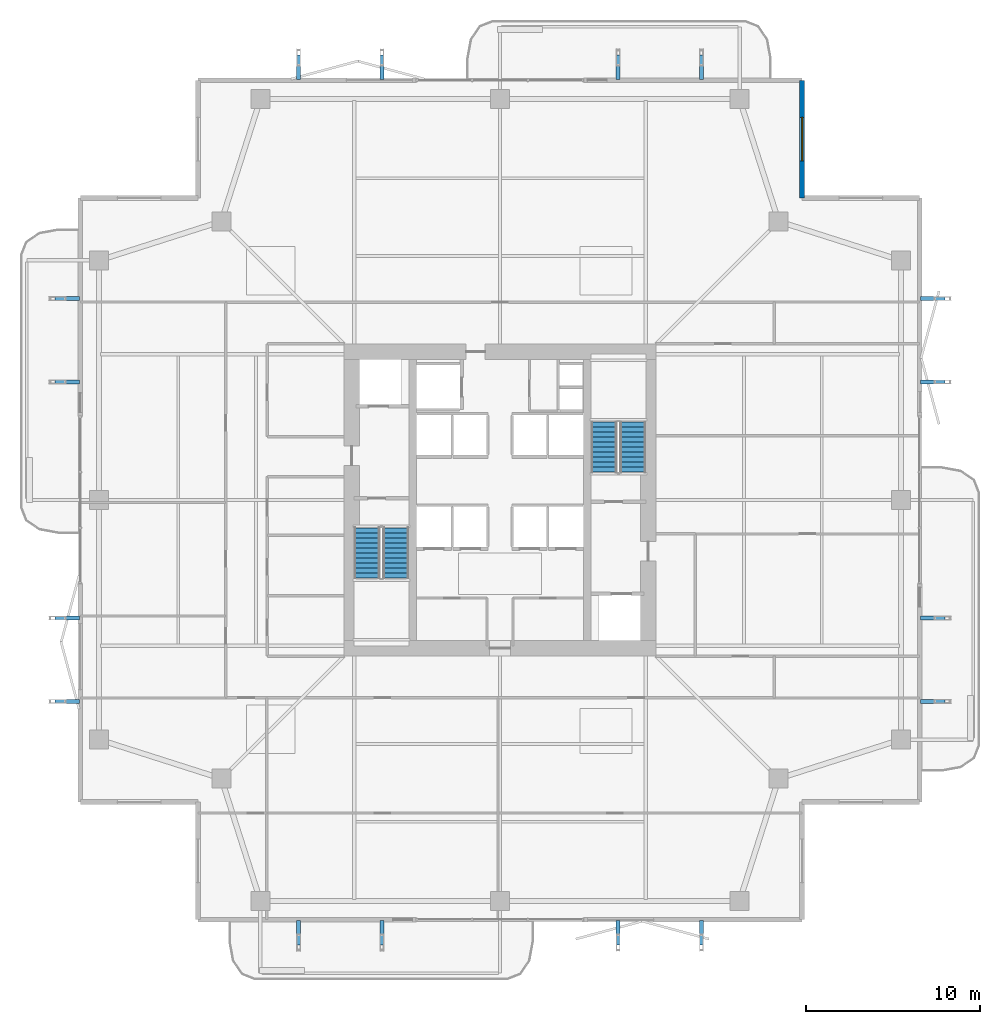
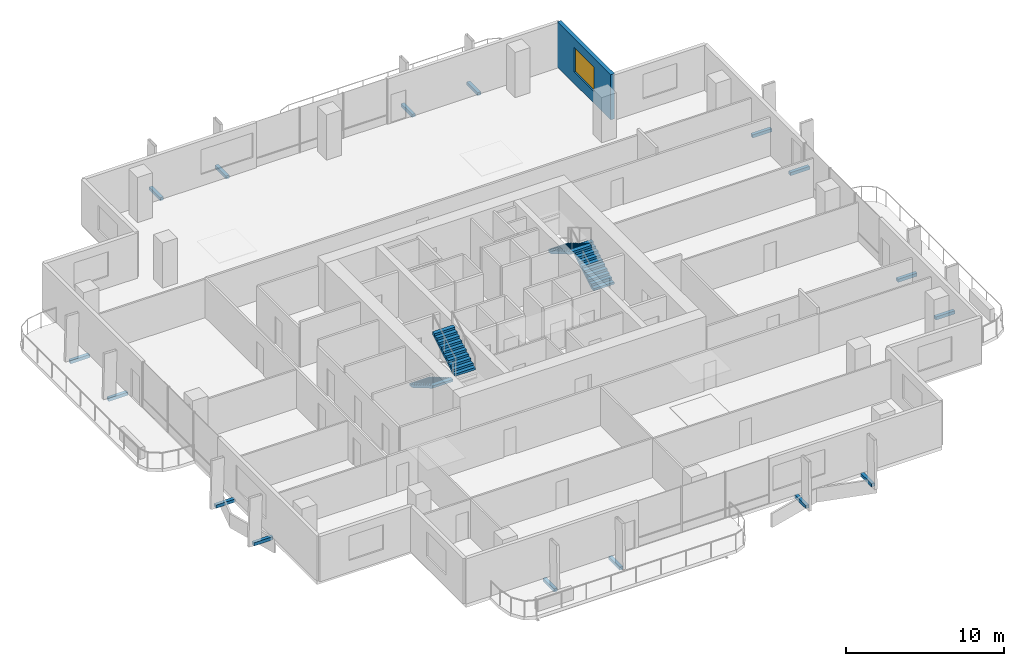
# One storey, part 22 of 25: 16 discrete accessories, 4 stair flights, 1 wall, 1 window, 1 opening, 2 elements without a shape of their own.
"""IFC4 building model written with IfcOpenShell, lengths in metres."""

from ifc_helpers import new_model, si_unit, direction, frame, frame_2d, origin, origin_2d, place, context, subcontext, project, spatial, polyline, rectangle, outline, extrude, material, layer, layer_set, type_object, element, fill, aggregate, save


model = new_model("IFC4")

# Units and contexts
model_context = context("Model", 3, precision=1e-05, world=origin(), true_north=direction((0.0, 1.0)))
body_context = subcontext(model_context, "Body", "Model", "MODEL_VIEW")
ifc_project = project(units=[si_unit("LENGTHUNIT", "METRE"), si_unit("AREAUNIT", "SQUARE_METRE"), si_unit("VOLUMEUNIT", "CUBIC_METRE"), si_unit("PLANEANGLEUNIT", "RADIAN"), si_unit("MASSUNIT", "GRAM", prefix="KILO")], contexts=[model_context])

# Site, building, storey
site_placement = place(None, origin())
site = spatial("IfcSite", under=ifc_project, at=site_placement, CompositionType="ELEMENT")
building_placement = place(site_placement, origin())
building = spatial("IfcBuilding", under=site, at=building_placement, Name="Belovzor Exchange Tower", CompositionType="ELEMENT")
storey_placement = place(building_placement, frame((0.0, 0.0, 160.800048828125)))
storey = spatial("IfcBuildingStorey", under=building, at=storey_placement, Name="L39", CompositionType="ELEMENT", Elevation=160.800048828125)

# Wall, opening, window
ifc_material_1 = material(Name="Precast concrete C40/50", Category="concrete")
ifc_layer_1 = layer(ifc_material_1, 0.280029296875)
ifc_layer_set_1 = layer_set([ifc_layer_1], Name="Precast concrete C40/50")
wall_type = type_object("IfcWallType", Name="Precast Concrete Notched Corner Frame Wall 280", PredefinedType="SOLIDWALL", material=ifc_layer_set_1)
wall_placement = place(storey_placement, frame((46.199951171875, 52.969970703125, 0.0), z_axis=(0.0, 0.0, 1.0), x_axis=(0.0, -1.0, 0.0)))
wall = element("IfcWall", 1, at=wall_placement, inside=storey, type_object=wall_type, Name="W-CRN280 Precast Concrete Notched Corner Frame Wall 280 L39", PredefinedType="SOLIDWALL", context=body_context, shape_type="SweptSolid", body=[
    extrude(rectangle(XDim=6.77001953125, YDim=0.280029296875, at=frame_2d((3.385009765625, 0.0))), origin(), (0.0, 0.0, 1.0), 3.494873046875),
])
opening_placement = place(wall_placement, frame((2.135009765625, 0.0, 0.89990234375)))
opening = element("IfcOpeningElement", 2, at=opening_placement, cuts=wall, Name="Opening WN-CRN250", PredefinedType="OPENING", context=body_context, shape_type="SweptSolid", body=[
    extrude(rectangle(XDim=2.5, YDim=1.89990234375, at=frame_2d((1.25, 0.949951171875))), frame((0.0, 0.14990234375, 0.0), z_axis=(0.0, -1.0, 0.0), x_axis=(1.0, 0.0, 0.0)), (0.0, 0.0, 1.0), 0.300048828125),
])
ifc_material_2 = material(Name="Thermally Broken Aluminium and Triple Glazing", Category="aluminium")
window_type = type_object("IfcWindowType", Name="Streamline Moderne Corner Wrap Ribbon Window 2500x1900", PartitioningType="SINGLE_PANEL", PredefinedType="WINDOW", material=ifc_material_2)
window_placement = place(opening_placement, origin())
window = element("IfcWindow", 3, at=window_placement, inside=storey, type_object=window_type, Name="WN-CRN250 Streamline Moderne Corner Wrap Ribbon Window 2500x1900", OverallHeight=1.89990234375, OverallWidth=2.5, PartitioningType="SINGLE_PANEL", PredefinedType="WINDOW", context=body_context, shape_type="SweptSolid", body=[
    extrude(rectangle(XDim=2.5, YDim=1.89990234375, at=frame_2d((1.25, 0.949951171875))), frame((0.0, 0.030029296875, 0.0), z_axis=(0.0, -1.0, 0.0), x_axis=(1.0, 0.0, 0.0)), (0.0, 0.0, 1.0), 0.06005859375),
])
fill(opening, window)

# Stair, stair flights
ifc_material_3 = material(Name="Concrete C40/50", Category="concrete")
stair_type = type_object("IfcStairType", Name="Reinforced Concrete Dogleg Escape Stair 1350", PredefinedType="HALF_TURN_STAIR", material=ifc_material_3)
stair_1_placement = place(storey_placement, origin())
stair_1 = element("IfcStair", 4, at=stair_1_placement, inside=storey, type_object=stair_type, Name="L39 ST-1", PredefinedType="HALF_TURN_STAIR")
ifc_material_4 = material(Name="Concrete C40/50", Category="concrete")
stair_flight_type = type_object("IfcStairFlightType", Name="Reinforced Concrete Stair Flight 1350", PredefinedType="STRAIGHT", material=ifc_material_4)
stair_flight_1_placement = place(storey_placement, frame((21.14990234375, 27.199951171875, 0.0), z_axis=(0.0, 0.0, 1.0), x_axis=(0.0, -1.0, 0.0)))
stair_flight_1 = element("IfcStairFlight", 5, at=stair_flight_1_placement, type_object=stair_flight_type, Name="ST-1 flight 1", NumberOfRisers=11, NumberOfTreads=10, PredefinedType="STRAIGHT", RiserHeight=0.170454545, TreadLength=0.29, context=body_context, shape_type="SweptSolid", body=[
    extrude(outline(polyline([(0.0, 0.0), (0.0, 0.17041015625), (0.2900390625, 0.17041015625), (0.2900390625, 0.3408203125), (0.580078125, 0.3408203125), (0.580078125, 0.511474609375), (0.8701171875, 0.511474609375), (0.8701171875, 0.681884765625), (1.159912109375, 0.681884765625), (1.159912109375, 0.852294921875), (1.449951171875, 0.852294921875), (1.449951171875, 1.022705078125), (1.739990234375, 1.022705078125), (1.739990234375, 1.193115234375), (2.030029296875, 1.193115234375), (2.030029296875, 1.363525390625), (2.320068359375, 1.363525390625), (2.320068359375, 1.5341796875), (2.610107421875, 1.5341796875), (2.610107421875, 1.70458984375), (2.89990234375, 1.70458984375), (2.89990234375, 1.875), (2.89990234375, 1.53076171875), (0.2958984375, 0.0), (0.0, 0.0)])), frame((0.0, 0.75, 0.0), z_axis=(0.0, -1.0, 0.0), x_axis=(1.0, 0.0, 0.0)), (0.0, 0.0, 1.0), 1.5),
])
stair_flight_2_placement = place(storey_placement, frame((22.800048828125, 24.300048828125, 1.875), z_axis=(0.0, 0.0, 1.0), x_axis=(0.0, 1.0, 0.0)))
stair_flight_2 = element("IfcStairFlight", 6, at=stair_flight_2_placement, type_object=stair_flight_type, Name="ST-1 flight 2", NumberOfRisers=11, NumberOfTreads=10, PredefinedType="STRAIGHT", RiserHeight=0.170454545, TreadLength=0.29, context=body_context, shape_type="SweptSolid", body=[
    extrude(outline(polyline([(0.0, 0.0), (0.0, 0.17041015625), (0.2900390625, 0.17041015625), (0.2900390625, 0.3408203125), (0.580078125, 0.3408203125), (0.580078125, 0.511474609375), (0.8701171875, 0.511474609375), (0.8701171875, 0.681884765625), (1.159912109375, 0.681884765625), (1.159912109375, 0.852294921875), (1.449951171875, 0.852294921875), (1.449951171875, 1.022705078125), (1.739990234375, 1.022705078125), (1.739990234375, 1.193115234375), (2.030029296875, 1.193115234375), (2.030029296875, 1.363525390625), (2.320068359375, 1.363525390625), (2.320068359375, 1.5341796875), (2.610107421875, 1.5341796875), (2.610107421875, 1.70458984375), (2.89990234375, 1.70458984375), (2.89990234375, 1.875), (2.89990234375, 1.53076171875), (0.2958984375, 0.0), (0.0, 0.0)])), frame((0.0, 0.75, 0.0), z_axis=(0.0, -1.0, 0.0), x_axis=(1.0, 0.0, 0.0)), (0.0, 0.0, 1.0), 1.5),
])
aggregate(stair_1, [stair_flight_1, stair_flight_2])

stair_2_placement = place(storey_placement, origin())
stair_2 = element("IfcStair", 7, at=stair_2_placement, inside=storey, type_object=stair_type, Name="L39 ST-2", PredefinedType="HALF_TURN_STAIR")
stair_flight_3_placement = place(storey_placement, frame((36.449951171875, 30.39990234375, 0.0), z_axis=(0.0, 0.0, 1.0), x_axis=(0.0, 1.0, 0.0)))
stair_flight_3 = element("IfcStairFlight", 8, at=stair_flight_3_placement, type_object=stair_flight_type, Name="ST-2 flight 1", NumberOfRisers=11, NumberOfTreads=10, PredefinedType="STRAIGHT", RiserHeight=0.170454545, TreadLength=0.29, context=body_context, shape_type="SweptSolid", body=[
    extrude(outline(polyline([(0.0, 0.0), (0.0, 0.17041015625), (0.2900390625, 0.17041015625), (0.2900390625, 0.3408203125), (0.580078125, 0.3408203125), (0.580078125, 0.511474609375), (0.8701171875, 0.511474609375), (0.8701171875, 0.681884765625), (1.159912109375, 0.681884765625), (1.159912109375, 0.852294921875), (1.449951171875, 0.852294921875), (1.449951171875, 1.022705078125), (1.739990234375, 1.022705078125), (1.739990234375, 1.193115234375), (2.030029296875, 1.193115234375), (2.030029296875, 1.363525390625), (2.320068359375, 1.363525390625), (2.320068359375, 1.5341796875), (2.610107421875, 1.5341796875), (2.610107421875, 1.70458984375), (2.89990234375, 1.70458984375), (2.89990234375, 1.875), (2.89990234375, 1.53076171875), (0.2958984375, 0.0), (0.0, 0.0)])), frame((0.0, 0.75, 0.0), z_axis=(0.0, -1.0, 0.0), x_axis=(1.0, 0.0, 0.0)), (0.0, 0.0, 1.0), 1.5),
])
stair_flight_4_placement = place(storey_placement, frame((34.800048828125, 33.300048828125, 1.875), z_axis=(0.0, 0.0, 1.0), x_axis=(0.0, -1.0, 0.0)))
stair_flight_4 = element("IfcStairFlight", 9, at=stair_flight_4_placement, type_object=stair_flight_type, Name="ST-2 flight 2", NumberOfRisers=11, NumberOfTreads=10, PredefinedType="STRAIGHT", RiserHeight=0.170454545, TreadLength=0.29, context=body_context, shape_type="SweptSolid", body=[
    extrude(outline(polyline([(0.0, 0.0), (0.0, 0.17041015625), (0.2900390625, 0.17041015625), (0.2900390625, 0.3408203125), (0.580078125, 0.3408203125), (0.580078125, 0.511474609375), (0.8701171875, 0.511474609375), (0.8701171875, 0.681884765625), (1.159912109375, 0.681884765625), (1.159912109375, 0.852294921875), (1.449951171875, 0.852294921875), (1.449951171875, 1.022705078125), (1.739990234375, 1.022705078125), (1.739990234375, 1.193115234375), (2.030029296875, 1.193115234375), (2.030029296875, 1.363525390625), (2.320068359375, 1.363525390625), (2.320068359375, 1.5341796875), (2.610107421875, 1.5341796875), (2.610107421875, 1.70458984375), (2.89990234375, 1.70458984375), (2.89990234375, 1.875), (2.89990234375, 1.53076171875), (0.2958984375, 0.0), (0.0, 0.0)])), frame((0.0, 0.75, 0.0), z_axis=(0.0, -1.0, 0.0), x_axis=(1.0, 0.0, 0.0)), (0.0, 0.0, 1.0), 1.5),
])
aggregate(stair_2, [stair_flight_3, stair_flight_4])

# Discrete accessories
ifc_material_5 = material(Name="Stainless Steel Grade 316", Category="steel")
ifc_layer_2 = layer(ifc_material_5, 0.179931640625)
ifc_layer_set_2 = layer_set([ifc_layer_2], Name="Stainless Steel Grade 316")
discrete_accessory_type = type_object("IfcDiscreteAccessoryType", Name="Stainless Steel Facade Outrigger Fixing Bracket", PredefinedType="BRACKET", material=ifc_layer_set_2)
for number, where, z_axis, x_axis, name in (
    (10, (17.199951171875, 3.8798828125, -0.2470703125), (0.0, 0.0, 1.0), (0.0, 1.0, 0.0), "BRK-FIN1 Sweeping Fin Outrigger Bracket L39 S1"),
    (11, (17.199951171875, 53.720947265625, -0.2470703125), (0.0, 0.0, 1.0), (0.0, 1.0, 0.0), "BRK-FIN1 Sweeping Fin Outrigger Bracket L39 N1"),
    (12, (3.8798828125, 17.199951171875, -0.2470703125), (0.0, 0.0, 1.0), (1.0, 0.0, 0.0), "BRK-FIN1 Sweeping Fin Outrigger Bracket L39 W1"),
    (13, (53.720947265625, 17.199951171875, -0.2470703125), (0.0, 0.0, 1.0), (1.0, 0.0, 0.0), "BRK-FIN1 Sweeping Fin Outrigger Bracket L39 E1"),
    (14, (22.0, 3.8798828125, -0.2470703125), (0.0, 0.0, 1.0), (0.0, 1.0, 0.0), "BRK-FIN1 Sweeping Fin Outrigger Bracket L39 S2"),
    (15, (22.0, 53.720947265625, -0.2470703125), (0.0, 0.0, 1.0), (0.0, 1.0, 0.0), "BRK-FIN1 Sweeping Fin Outrigger Bracket L39 N2"),
    (16, (3.8798828125, 22.0, -0.2470703125), (0.0, 0.0, 1.0), (1.0, 0.0, 0.0), "BRK-FIN1 Sweeping Fin Outrigger Bracket L39 W2"),
    (17, (53.720947265625, 22.0, -0.2470703125), (0.0, 0.0, 1.0), (1.0, 0.0, 0.0), "BRK-FIN1 Sweeping Fin Outrigger Bracket L39 E2"),
    (18, (35.60009765625, 3.8798828125, -0.2470703125), (0.0, 0.0, 1.0), (0.0, 1.0, 0.0), "BRK-FIN1 Sweeping Fin Outrigger Bracket L39 S3"),
    (19, (35.60009765625, 53.720947265625, -0.2470703125), (0.0, 0.0, 1.0), (0.0, 1.0, 0.0), "BRK-FIN1 Sweeping Fin Outrigger Bracket L39 N3"),
    (20, (3.8798828125, 35.60009765625, -0.2470703125), (0.0, 0.0, 1.0), (1.0, 0.0, 0.0), "BRK-FIN1 Sweeping Fin Outrigger Bracket L39 W3"),
    (21, (53.720947265625, 35.60009765625, -0.2470703125), (0.0, 0.0, 1.0), (1.0, 0.0, 0.0), "BRK-FIN1 Sweeping Fin Outrigger Bracket L39 E3"),
    (22, (40.39990234375, 3.8798828125, -0.2470703125), (0.0, 0.0, 1.0), (0.0, 1.0, 0.0), "BRK-FIN1 Sweeping Fin Outrigger Bracket L39 S4"),
    (23, (40.39990234375, 53.720947265625, -0.2470703125), (0.0, 0.0, 1.0), (0.0, 1.0, 0.0), "BRK-FIN1 Sweeping Fin Outrigger Bracket L39 N4"),
    (24, (3.8798828125, 40.39990234375, -0.2470703125), (0.0, 0.0, 1.0), (1.0, 0.0, 0.0), "BRK-FIN1 Sweeping Fin Outrigger Bracket L39 W4"),
    (25, (53.720947265625, 40.39990234375, -0.2470703125), (0.0, 0.0, 1.0), (1.0, 0.0, 0.0), "BRK-FIN1 Sweeping Fin Outrigger Bracket L39 E4"),
):
    element("IfcDiscreteAccessory", number, at=place(storey_placement, frame(where, z_axis=z_axis, x_axis=x_axis)), inside=storey, type_object=discrete_accessory_type, Name=name, PredefinedType="BRACKET", context=body_context, shape_type="SweptSolid", body=[
        extrude(rectangle(XDim=1.40087890625, YDim=0.239990234375, at=origin_2d()), origin(), (0.0, 0.0, 1.0), 0.239990234375),
    ])

save(model, "model.ifc")
